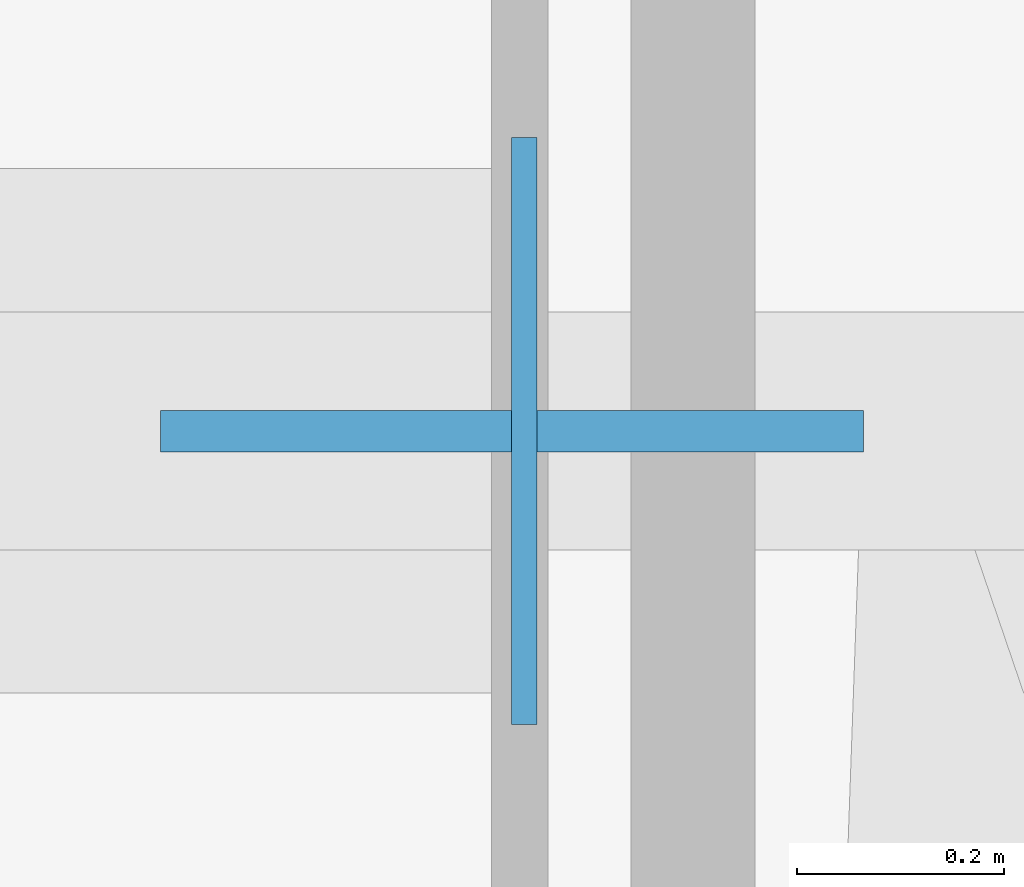
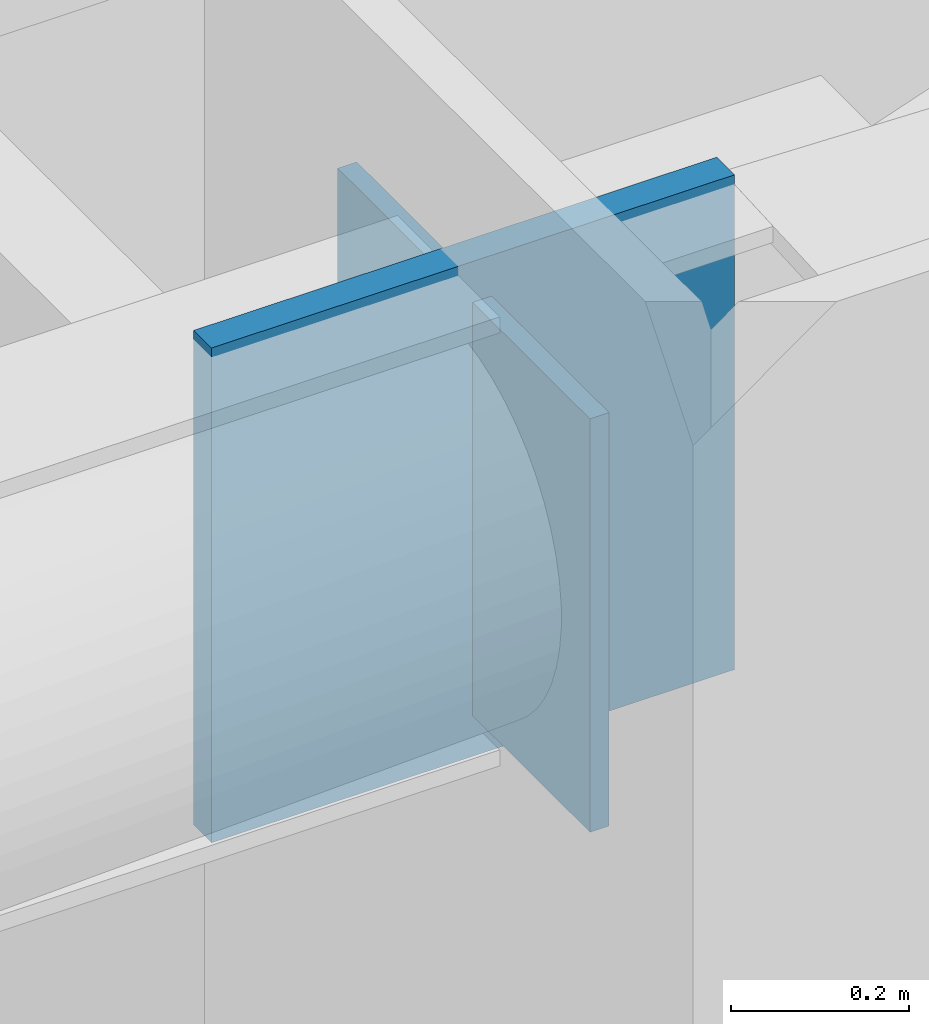
# One storey, part 6 of 16: 2 plates.
"""IFC4 building model written with IfcOpenShell, lengths in metres."""

import ifcopenshell
import ifcopenshell.guid

model = None  # the IFC model being written
_history = None  # IfcOwnerHistory: only IFC2X3 demands one
_inside = {}  # id of a spatial element -> (the spatial element, [elements in it])
_under = {}  # id of a project, library or spatial element -> (it, [spatial elements below it])
_declared = {}  # id of a project -> (the project, [libraries it declares])
_typed = {}  # id of a type object -> (the type object, [elements of that type])
_made_of = {}  # id of a material, layer set ... -> (it, [elements and type objects made of it])


def new_model(schema):
    """Start an empty IFC model of exactly this schema.

    Asked for "IFC4X3", IfcOpenShell would pick the latest addendum, in which some entities
    have other attributes; the version numbers below select the first issue.
    IFC2X3 requires an IfcOwnerHistory on every rooted entity: one is made here for all.
    """
    global model, _history
    if schema == "IFC4X3":
        model = ifcopenshell.file(schema_version=(4, 3, 0, 0))
    else:
        model = ifcopenshell.file(schema=schema)
    _inside.clear()
    _under.clear()
    _declared.clear()
    _typed.clear()
    _made_of.clear()
    _history = None
    if model.schema == "IFC2X3":
        org = make("IfcOrganization", Name="unknown")
        user = make(
            "IfcPersonAndOrganization",
            ThePerson=make("IfcPerson", FamilyName="unknown"),
            TheOrganization=org,
        )
        app = make(
            "IfcApplication",
            ApplicationDeveloper=org,
            Version="unknown",
            ApplicationFullName="unknown",
            ApplicationIdentifier="unknown",
        )
        _history = make(
            "IfcOwnerHistory",
            OwningUser=user,
            OwningApplication=app,
            ChangeAction="ADDED",
            CreationDate=0,
        )
    return model


def make(cls, **values):
    """One entity of the class cls with the attributes given. An attribute that is None is left unset."""
    return model.create_entity(
        cls, **{name: value for name, value in values.items() if value is not None}
    )


def rooted(cls, **values):
    """An entity with a GlobalId (a new one), such as an element, a storey or a relation."""
    return make(cls, GlobalId=ifcopenshell.guid.new(), OwnerHistory=_history, **values)


def si_unit(unit_type, name, prefix=None):
    """IfcSIUnit, for example si_unit("LENGTHUNIT", "METRE", prefix="MILLI")."""
    return make("IfcSIUnit", UnitType=unit_type, Prefix=prefix, Name=name)


def assignment(units):
    """IfcUnitAssignment: the units of a project."""
    return None if units is None else make("IfcUnitAssignment", Units=units)


def point(xyz):
    """IfcCartesianPoint."""
    return None if xyz is None else make("IfcCartesianPoint", Coordinates=xyz)


def direction(xyz):
    """IfcDirection."""
    return None if xyz is None else make("IfcDirection", DirectionRatios=xyz)


def frame(location, z_axis=None, x_axis=None):
    """IfcAxis2Placement3D, a coordinate frame: its origin and axes. An axis left out is left unset."""
    return make(
        "IfcAxis2Placement3D",
        Location=point(location),
        Axis=direction(z_axis),
        RefDirection=direction(x_axis),
    )


def frame_2d(location, x_axis=None):
    """IfcAxis2Placement2D, a coordinate frame in the plane: its origin and x axis."""
    return make(
        "IfcAxis2Placement2D", Location=point(location), RefDirection=direction(x_axis)
    )


def origin():
    """The frame at (0, 0, 0) with its axes left unset."""
    return frame((0.0, 0.0, 0.0))


def origin_2d():
    """The frame at (0, 0) in the plane with its x axis left unset."""
    return frame_2d((0.0, 0.0))


def place(relative_to, where):
    """IfcLocalPlacement: puts the frame where relative to a parent placement (None: the world)."""
    return make(
        "IfcLocalPlacement", PlacementRelTo=relative_to, RelativePlacement=where
    )


def context(
    kind, dimensions, precision=None, world=None, true_north=None, identifier=None
):
    """IfcGeometricRepresentationContext, for example the 3D "Model" context."""
    return make(
        "IfcGeometricRepresentationContext",
        ContextIdentifier=identifier,
        ContextType=kind,
        CoordinateSpaceDimension=dimensions,
        Precision=precision,
        WorldCoordinateSystem=world,
        TrueNorth=true_north,
    )


def subcontext(parent, identifier, kind, view, scale=None):
    """IfcGeometricRepresentationSubContext, for example "Body" below "Model"."""
    return make(
        "IfcGeometricRepresentationSubContext",
        ContextIdentifier=identifier,
        ContextType=kind,
        ParentContext=parent,
        TargetScale=scale,
        TargetView=view,
    )


def project(units=None, contexts=None):
    """IfcProject with its units and contexts."""
    return rooted(
        "IfcProject",
        Name="project",
        RepresentationContexts=contexts,
        UnitsInContext=assignment(units),
    )


def spatial(cls, under=None, at=None, **own):
    """A site, building, storey or space (cls), placed at a placement, below another one or the project."""
    s = rooted(cls, ObjectPlacement=at, **own)
    if under is not None:
        _under.setdefault(under.id(), (under, []))[1].append(s)
    return s


def profile(cls, at=None, kind="AREA", **sizes):
    """A parametric profile (cls). Its sizes go by their IFC names, for example OverallWidth=200.0."""
    return make(cls, ProfileType=kind, Position=at, **sizes)


def rectangle(**sizes):
    """IfcRectangleProfileDef."""
    return profile("IfcRectangleProfileDef", **sizes)


def extrude(swept, where, along, depth):
    """IfcExtrudedAreaSolid: the profile swept, set in the frame where, extruded along a direction by depth."""
    return make(
        "IfcExtrudedAreaSolid",
        SweptArea=swept,
        Position=where,
        ExtrudedDirection=direction(along),
        Depth=depth,
    )


def shape(context_of_items, identifier, shape_type, items):
    """IfcShapeRepresentation: the items that make up one representation, for example the "Body"."""
    return make(
        "IfcShapeRepresentation",
        ContextOfItems=context_of_items,
        RepresentationIdentifier=identifier,
        RepresentationType=shape_type,
        Items=items,
    )


def material(Name=None, Category=None):
    """IfcMaterial."""
    return make("IfcMaterial", Name=Name, Category=Category)


def layer(
    of_material, thickness, ventilated=None, Name=None, Category=None, Priority=None
):
    """IfcMaterialLayer: one layer of a wall or slab, of a material (None: an air gap)."""
    return make(
        "IfcMaterialLayer",
        Material=of_material,
        LayerThickness=thickness,
        IsVentilated=ventilated,
        Name=Name,
        Category=Category,
        Priority=Priority,
    )


def layer_set(layers, Name=None):
    """IfcMaterialLayerSet."""
    return make("IfcMaterialLayerSet", MaterialLayers=layers, LayerSetName=Name)


def made_of(thing, what):
    """Note that an element or type object is made of a material, layer set ...; save() writes the relation."""
    if what is not None:
        _made_of.setdefault(what.id(), (what, []))[1].append(thing)
    return thing


def type_object(cls, material=None, **own):
    """A type object (cls), such as IfcWallType, which elements share."""
    return made_of(rooted(cls, **own), material)


def element(
    cls,
    number,
    at=None,
    inside=None,
    cuts=None,
    type_object=None,
    material=None,
    context=None,
    identifier="Body",
    shape_type=None,
    held_by="IfcProductDefinitionShape",
    body=None,
    shapes=None,
    **own,
):
    """One element of the class cls, such as IfcWall. Its Tag is "e" and its number.

    at: its placement. inside: the storey or other place that contains it. cuts: it is an
    opening in that element (IfcRelVoidsElement). A single representation is given by context,
    identifier, shape_type and body (its items); several are given by shapes. held_by: the class
    of the entity that holds the representations. save() writes the other relations.
    """
    e = rooted(cls, Tag="e%d" % number, ObjectPlacement=at, **own)
    if body is not None:
        shapes = [shape(context, identifier, shape_type, body)]
    if shapes is not None:
        e.Representation = make(held_by, Representations=shapes)
    if inside is not None:
        _inside.setdefault(inside.id(), (inside, []))[1].append(e)
    if cuts is not None:
        rooted(
            "IfcRelVoidsElement", RelatingBuildingElement=cuts, RelatedOpeningElement=e
        )
    if type_object is not None:
        _typed.setdefault(type_object.id(), (type_object, []))[1].append(e)
    return made_of(e, material)


def aggregate(whole, parts):
    """IfcRelAggregates: a whole, such as a stair, and the parts it consists of."""
    return rooted("IfcRelAggregates", RelatingObject=whole, RelatedObjects=parts)


def save(model, path):
    """Write the relations noted so far, then the file.

    IfcRelAggregates (storeys below a building ...), IfcRelContainedInSpatialStructure (elements
    in a storey), IfcRelDefinesByType, IfcRelAssociatesMaterial and IfcRelDeclares: one each for
    every whole, place, type object, material and project.
    """
    for whole, parts in _under.values():
        aggregate(whole, parts)
    for where, things in _inside.values():
        rooted(
            "IfcRelContainedInSpatialStructure",
            RelatedElements=things,
            RelatingStructure=where,
        )
    for kind, things in _typed.values():
        rooted("IfcRelDefinesByType", RelatedObjects=things, RelatingType=kind)
    for what, things in _made_of.values():
        rooted("IfcRelAssociatesMaterial", RelatedObjects=things, RelatingMaterial=what)
    for by, libraries in _declared.values():
        rooted("IfcRelDeclares", RelatingContext=by, RelatedDefinitions=libraries)
    model.write(path)


model = new_model("IFC4")

# Units and contexts
model_context = context("Model", 3, precision=1e-05, world=origin(), true_north=direction((0.0, 1.0)))
body_context = subcontext(model_context, "Body", "Model", "MODEL_VIEW")
ifc_project = project(units=[si_unit("LENGTHUNIT", "METRE"), si_unit("AREAUNIT", "SQUARE_METRE"), si_unit("VOLUMEUNIT", "CUBIC_METRE"), si_unit("PLANEANGLEUNIT", "RADIAN"), si_unit("MASSUNIT", "GRAM", prefix="KILO")], contexts=[model_context])

# Site, building, storey
site_placement = place(None, origin())
site = spatial("IfcSite", under=ifc_project, at=site_placement, CompositionType="ELEMENT")
building_placement = place(site_placement, origin())
building = spatial("IfcBuilding", under=site, at=building_placement, Name="Khamvora Tower", CompositionType="ELEMENT")
storey_placement = place(building_placement, frame((0.0, 0.0, 66.14990234375)))
storey = spatial("IfcBuildingStorey", under=building, at=storey_placement, Name="L16", CompositionType="ELEMENT", Elevation=66.14990234375)

# Plates
ifc_material_1 = material(Name="Steel S355", Category="steel")
ifc_layer_1 = layer(ifc_material_1, 0.02490234375)
ifc_layer_set_1 = layer_set([ifc_layer_1], Name="Steel S355")
plate_type_1 = type_object("IfcPlateType", Name="PL-CAP-25", PredefinedType="SHEET", material=ifc_layer_set_1)
plate_1_placement = place(storey_placement, frame((43.73193359375, 50.800048828125, 2.81787109375), z_axis=(0.0, 0.0, 1.0), x_axis=(1.0, 0.0, 0.0)))
element("IfcPlate", 1, at=plate_1_placement, inside=storey, type_object=plate_type_1, Name="L16 hollow section steel end cap plate 0595", PredefinedType="SHEET", context=body_context, shape_type="SweptSolid", body=[
    extrude(rectangle(XDim=0.02490234375, YDim=0.568115234375, at=origin_2d()), origin(), (0.0, 0.0, 1.0), 0.568115234375),
])
ifc_material_2 = material(Name="Steel S460", Category="steel")
ifc_layer_2 = layer(ifc_material_2, 0.0400390625)
ifc_layer_set_2 = layer_set([ifc_layer_2], Name="Steel S460")
plate_type_2 = type_object("IfcPlateType", Name="PLT-GUS-40", PredefinedType="SHEET", material=ifc_layer_set_2)
plate_2_placement = place(storey_placement, frame((43.719970703125, 50.800048828125, 2.76220703125), z_axis=(0.0, 0.0, 1.0), x_axis=(1.0, 0.0, 0.0)))
element("IfcPlate", 2, at=plate_2_placement, inside=storey, type_object=plate_type_2, Name="L16 brace connection node gusset plate 0112", PredefinedType="SHEET", context=body_context, shape_type="SweptSolid", body=[
    extrude(rectangle(XDim=0.679931640625, YDim=0.0400390625, at=origin_2d()), origin(), (0.0, 0.0, 1.0), 0.679931640625),
])

save(model, "model.ifc")
